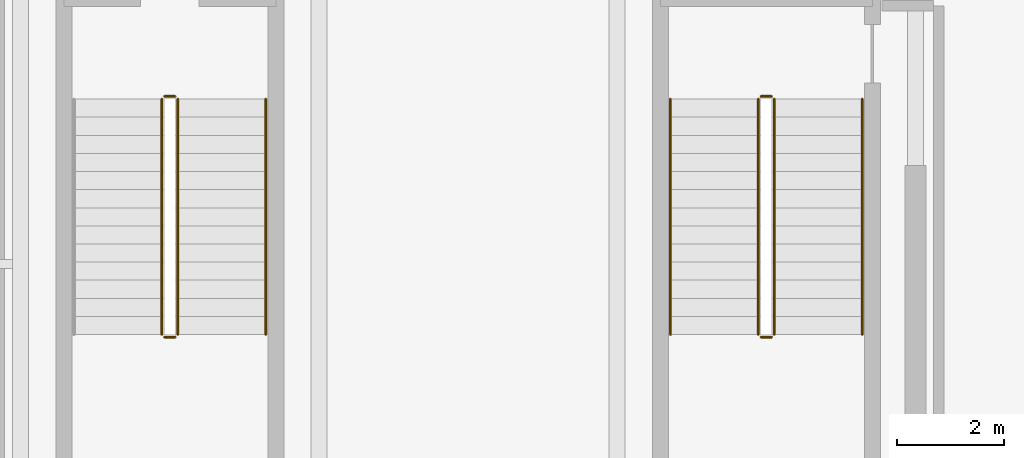
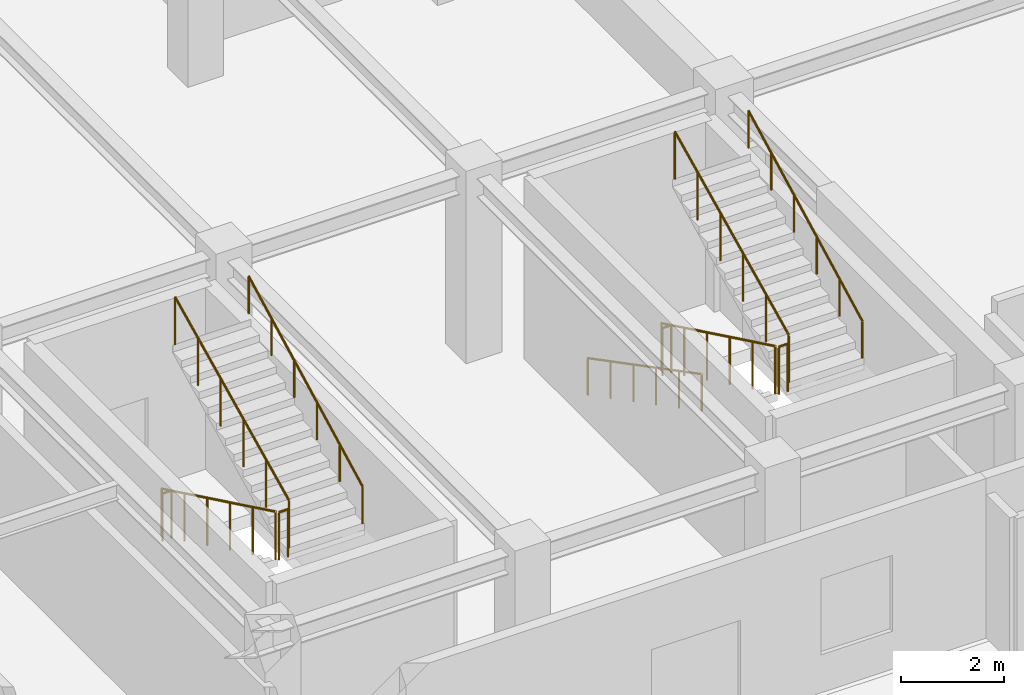
# One storey, part 7 of 13: 11 railings.
"""IFC4 building model written with IfcOpenShell, lengths in metres."""

from ifc_helpers import new_model, si_unit, direction, frame, origin, origin_2d, place, context, subcontext, project, spatial, circle, extrude, material, type_object, element, save


model = new_model("IFC4")

# Units and contexts
model_context = context("Model", 3, precision=1e-05, world=origin(), true_north=direction((0.0, 1.0)))
body_context = subcontext(model_context, "Body", "Model", "MODEL_VIEW")
ifc_project = project(units=[si_unit("LENGTHUNIT", "METRE"), si_unit("AREAUNIT", "SQUARE_METRE"), si_unit("VOLUMEUNIT", "CUBIC_METRE"), si_unit("PLANEANGLEUNIT", "RADIAN"), si_unit("MASSUNIT", "GRAM", prefix="KILO")], contexts=[model_context])

# Site, building, storey
site_placement = place(None, origin())
site = spatial("IfcSite", under=ifc_project, at=site_placement, CompositionType="ELEMENT")
building_placement = place(site_placement, origin())
building = spatial("IfcBuilding", under=site, at=building_placement, Name="Nahalor Promenade Grand Hotel", CompositionType="ELEMENT")
storey_placement = place(building_placement, frame((0.0, 0.0, 357.050048828125)))
storey = spatial("IfcBuildingStorey", under=building, at=storey_placement, Name="L91", CompositionType="ELEMENT", Elevation=357.050048828125)

# Railings
ifc_material = material(Name="Steel S355JR", Category="steel")
railing_type_1 = type_object("IfcRailingType", Name="Steel Stair Guardrail 1150 mm", PredefinedType="GUARDRAIL", material=ifc_material)
railing_1_placement = place(storey_placement, frame((5.449951171875, -8.10009765625, 0.164306640625)))
element("IfcRailing", 1, at=railing_1_placement, inside=storey, type_object=railing_type_1, Name="L91 ST2 stair guard 1", PredefinedType="GUARDRAIL", context=body_context, shape_type="SweptSolid", body=[
    extrude(circle(Radius=0.024048, at=origin_2d()), frame((0.0, 0.0, 1.1259765625), z_axis=(0.0, -0.900393116817, 0.435077274962), x_axis=(1.0, 0.0, 0.0)), (0.0, 0.0, 1.0), 4.908935546875),
    extrude(circle(Radius=0.020996, at=origin_2d()), origin(), (0.0, 0.0, 1.0), 1.099853515625),
    extrude(circle(Radius=0.020996, at=origin_2d()), frame((0.0, -0.884033203125, 0.42724609375)), (0.0, 0.0, 1.0), 1.099853515625),
    extrude(circle(Radius=0.020996, at=origin_2d()), frame((0.0, -1.76806640625, 0.854248046875)), (0.0, 0.0, 1.0), 1.099853515625),
    extrude(circle(Radius=0.020996, at=origin_2d()), frame((0.0, -2.65185546875, 1.281494140625)), (0.0, 0.0, 1.0), 1.099853515625),
    extrude(circle(Radius=0.020996, at=origin_2d()), frame((0.0, -3.535888671875, 1.70849609375)), (0.0, 0.0, 1.0), 1.099853515625),
    extrude(circle(Radius=0.020996, at=origin_2d()), frame((0.0, -4.419921875, 2.1357421875)), (0.0, 0.0, 1.0), 1.099853515625),
])
railing_2_placement = place(storey_placement, frame((5.5, -12.570068359375, 2.300048828125)))
element("IfcRailing", 2, at=railing_2_placement, inside=storey, type_object=railing_type_1, Name="L91 ST2 stair guard 2", PredefinedType="GUARDRAIL", context=body_context, shape_type="SweptSolid", body=[
    extrude(circle(Radius=0.024048, at=origin_2d()), frame((0.0, 0.0, 1.1259765625), z_axis=(1.0, 0.0, 0.0), x_axis=(0.0, 1.0, 0.0)), (0.0, 0.0, 1.0), 0.199951171875),
    extrude(circle(Radius=0.020996, at=origin_2d()), origin(), (0.0, 0.0, 1.0), 1.099853515625),
    extrude(circle(Radius=0.020996, at=origin_2d()), frame((0.199951171875, 0.0, 0.0)), (0.0, 0.0, 1.0), 1.099853515625),
])
railing_3_placement = place(storey_placement, frame((5.75, -12.52001953125, 2.46435546875)))
element("IfcRailing", 3, at=railing_3_placement, inside=storey, type_object=railing_type_1, Name="L91 ST2 stair guard 3", PredefinedType="GUARDRAIL", context=body_context, shape_type="SweptSolid", body=[
    extrude(circle(Radius=0.024048, at=origin_2d()), frame((0.0, 0.0, 1.1259765625), z_axis=(0.0, 0.900412599352, 0.43503695352), x_axis=(-1.0, 0.0, 0.0)), (0.0, 0.0, 1.0), 4.90869140625),
    extrude(circle(Radius=0.020996, at=origin_2d()), origin(), (0.0, 0.0, 1.0), 1.099853515625),
    extrude(circle(Radius=0.020996, at=origin_2d()), frame((0.0, 0.884033203125, 0.427001953125)), (0.0, 0.0, 1.0), 1.099853515625),
    extrude(circle(Radius=0.020996, at=origin_2d()), frame((0.0, 1.76806640625, 0.854248046875)), (0.0, 0.0, 1.0), 1.099853515625),
    extrude(circle(Radius=0.020996, at=origin_2d()), frame((0.0, 2.65185546875, 1.28125)), (0.0, 0.0, 1.0), 1.099853515625),
    extrude(circle(Radius=0.020996, at=origin_2d()), frame((0.0, 3.535888671875, 1.70849609375)), (0.0, 0.0, 1.0), 1.099853515625),
    extrude(circle(Radius=0.020996, at=origin_2d()), frame((0.0, 4.419921875, 2.135498046875)), (0.0, 0.0, 1.0), 1.099853515625),
])
railing_4_placement = place(storey_placement, frame((5.5, -8.050048828125, 0.0)))
element("IfcRailing", 4, at=railing_4_placement, inside=storey, type_object=railing_type_1, Name="L91 ST2 stair guard 4", PredefinedType="GUARDRAIL", context=body_context, shape_type="SweptSolid", body=[
    extrude(circle(Radius=0.024048, at=origin_2d()), frame((0.0, 0.0, 1.1259765625), z_axis=(1.0, 0.0, 0.0), x_axis=(0.0, 1.0, 0.0)), (0.0, 0.0, 1.0), 0.199951171875),
    extrude(circle(Radius=0.020996, at=origin_2d()), origin(), (0.0, 0.0, 1.0), 1.099853515625),
    extrude(circle(Radius=0.020996, at=origin_2d()), frame((0.199951171875, 0.0, 0.0)), (0.0, 0.0, 1.0), 1.099853515625),
])
railing_5_placement = place(storey_placement, frame((-5.75, -8.10009765625, 0.164306640625)))
element("IfcRailing", 5, at=railing_5_placement, inside=storey, type_object=railing_type_1, Name="L91 ST3 stair guard 1", PredefinedType="GUARDRAIL", context=body_context, shape_type="SweptSolid", body=[
    extrude(circle(Radius=0.024048, at=origin_2d()), frame((0.0, 0.0, 1.1259765625), z_axis=(0.0, -0.900393116817, 0.435077274962), x_axis=(1.0, 0.0, 0.0)), (0.0, 0.0, 1.0), 4.908935546875),
    extrude(circle(Radius=0.020996, at=origin_2d()), origin(), (0.0, 0.0, 1.0), 1.099853515625),
    extrude(circle(Radius=0.020996, at=origin_2d()), frame((0.0, -0.884033203125, 0.42724609375)), (0.0, 0.0, 1.0), 1.099853515625),
    extrude(circle(Radius=0.020996, at=origin_2d()), frame((0.0, -1.76806640625, 0.854248046875)), (0.0, 0.0, 1.0), 1.099853515625),
    extrude(circle(Radius=0.020996, at=origin_2d()), frame((0.0, -2.65185546875, 1.281494140625)), (0.0, 0.0, 1.0), 1.099853515625),
    extrude(circle(Radius=0.020996, at=origin_2d()), frame((0.0, -3.535888671875, 1.70849609375)), (0.0, 0.0, 1.0), 1.099853515625),
    extrude(circle(Radius=0.020996, at=origin_2d()), frame((0.0, -4.419921875, 2.1357421875)), (0.0, 0.0, 1.0), 1.099853515625),
])
railing_6_placement = place(storey_placement, frame((-5.699951171875, -12.570068359375, 2.300048828125)))
element("IfcRailing", 6, at=railing_6_placement, inside=storey, type_object=railing_type_1, Name="L91 ST3 stair guard 2", PredefinedType="GUARDRAIL", context=body_context, shape_type="SweptSolid", body=[
    extrude(circle(Radius=0.024048, at=origin_2d()), frame((0.0, 0.0, 1.1259765625), z_axis=(1.0, 0.0, 0.0), x_axis=(0.0, 1.0, 0.0)), (0.0, 0.0, 1.0), 0.199951171875),
    extrude(circle(Radius=0.020996, at=origin_2d()), origin(), (0.0, 0.0, 1.0), 1.099853515625),
    extrude(circle(Radius=0.020996, at=origin_2d()), frame((0.199951171875, 0.0, 0.0)), (0.0, 0.0, 1.0), 1.099853515625),
])
railing_7_placement = place(storey_placement, frame((-5.449951171875, -12.52001953125, 2.46435546875)))
element("IfcRailing", 7, at=railing_7_placement, inside=storey, type_object=railing_type_1, Name="L91 ST3 stair guard 3", PredefinedType="GUARDRAIL", context=body_context, shape_type="SweptSolid", body=[
    extrude(circle(Radius=0.024048, at=origin_2d()), frame((0.0, 0.0, 1.1259765625), z_axis=(0.0, 0.900412599352, 0.43503695352), x_axis=(-1.0, 0.0, 0.0)), (0.0, 0.0, 1.0), 4.90869140625),
    extrude(circle(Radius=0.020996, at=origin_2d()), origin(), (0.0, 0.0, 1.0), 1.099853515625),
    extrude(circle(Radius=0.020996, at=origin_2d()), frame((0.0, 0.884033203125, 0.427001953125)), (0.0, 0.0, 1.0), 1.099853515625),
    extrude(circle(Radius=0.020996, at=origin_2d()), frame((0.0, 1.76806640625, 0.854248046875)), (0.0, 0.0, 1.0), 1.099853515625),
    extrude(circle(Radius=0.020996, at=origin_2d()), frame((0.0, 2.65185546875, 1.28125)), (0.0, 0.0, 1.0), 1.099853515625),
    extrude(circle(Radius=0.020996, at=origin_2d()), frame((0.0, 3.535888671875, 1.70849609375)), (0.0, 0.0, 1.0), 1.099853515625),
    extrude(circle(Radius=0.020996, at=origin_2d()), frame((0.0, 4.419921875, 2.135498046875)), (0.0, 0.0, 1.0), 1.099853515625),
])
railing_8_placement = place(storey_placement, frame((-5.699951171875, -8.050048828125, 0.0)))
element("IfcRailing", 8, at=railing_8_placement, inside=storey, type_object=railing_type_1, Name="L91 ST3 stair guard 4", PredefinedType="GUARDRAIL", context=body_context, shape_type="SweptSolid", body=[
    extrude(circle(Radius=0.024048, at=origin_2d()), frame((0.0, 0.0, 1.1259765625), z_axis=(1.0, 0.0, 0.0), x_axis=(0.0, 1.0, 0.0)), (0.0, 0.0, 1.0), 0.199951171875),
    extrude(circle(Radius=0.020996, at=origin_2d()), origin(), (0.0, 0.0, 1.0), 1.099853515625),
    extrude(circle(Radius=0.020996, at=origin_2d()), frame((0.199951171875, 0.0, 0.0)), (0.0, 0.0, 1.0), 1.099853515625),
])
railing_type_2 = type_object("IfcRailingType", Name="Steel Stair Handrail 900 mm", PredefinedType="HANDRAIL", material=ifc_material)
railing_9_placement = place(storey_placement, frame((3.800048828125, -8.10009765625, 0.164306640625)))
element("IfcRailing", 9, at=railing_9_placement, inside=storey, type_object=railing_type_2, Name="L91 ST2 stair handrail 1", PredefinedType="HANDRAIL", context=body_context, shape_type="SweptSolid", body=[
    extrude(circle(Radius=0.024048, at=origin_2d()), frame((0.0, 0.0, 0.8759765625), z_axis=(0.0, -0.887077971717, 0.461619618402), x_axis=(1.0, 0.0, 0.0)), (0.0, 0.0, 1.0), 4.982666015625),
    extrude(circle(Radius=0.020996, at=origin_2d()), origin(), (0.0, 0.0, 1.0), 0.849853515625),
    extrude(circle(Radius=0.020996, at=origin_2d()), frame((0.0, -0.884033203125, 0.4599609375)), (0.0, 0.0, 1.0), 0.849853515625),
    extrude(circle(Radius=0.020996, at=origin_2d()), frame((0.0, -1.76806640625, 0.919921875)), (0.0, 0.0, 1.0), 0.849853515625),
    extrude(circle(Radius=0.020996, at=origin_2d()), frame((0.0, -2.65185546875, 1.380126953125)), (0.0, 0.0, 1.0), 0.849853515625),
    extrude(circle(Radius=0.020996, at=origin_2d()), frame((0.0, -3.535888671875, 1.840087890625)), (0.0, 0.0, 1.0), 0.849853515625),
    extrude(circle(Radius=0.020996, at=origin_2d()), frame((0.0, -4.419921875, 2.300048828125)), (0.0, 0.0, 1.0), 0.849853515625),
])
for number, where, name in (
    (10, (7.39990234375, -12.52001953125, 2.46435546875), "L91 ST2 stair handrail 2"),
    (11, (-3.800048828125, -12.52001953125, 2.46435546875), "L91 ST3 stair handrail 2"),
):
    element("IfcRailing", number, at=place(storey_placement, frame(where)), inside=storey, type_object=railing_type_2, Name=name, PredefinedType="HANDRAIL", context=body_context, shape_type="SweptSolid", body=[
        extrude(circle(Radius=0.024048, at=origin_2d()), frame((0.0, 0.0, 0.8759765625), z_axis=(0.0, 0.887098036063, 0.461581059418), x_axis=(-1.0, 0.0, 0.0)), (0.0, 0.0, 1.0), 4.982421875),
        extrude(circle(Radius=0.020996, at=origin_2d()), origin(), (0.0, 0.0, 1.0), 0.849853515625),
        extrude(circle(Radius=0.020996, at=origin_2d()), frame((0.0, 0.884033203125, 0.4599609375)), (0.0, 0.0, 1.0), 0.849853515625),
        extrude(circle(Radius=0.020996, at=origin_2d()), frame((0.0, 1.76806640625, 0.919921875)), (0.0, 0.0, 1.0), 0.849853515625),
        extrude(circle(Radius=0.020996, at=origin_2d()), frame((0.0, 2.65185546875, 1.3798828125)), (0.0, 0.0, 1.0), 0.849853515625),
        extrude(circle(Radius=0.020996, at=origin_2d()), frame((0.0, 3.535888671875, 1.83984375)), (0.0, 0.0, 1.0), 0.849853515625),
        extrude(circle(Radius=0.020996, at=origin_2d()), frame((0.0, 4.419921875, 2.2998046875)), (0.0, 0.0, 1.0), 0.849853515625),
    ])

save(model, "model.ifc")
